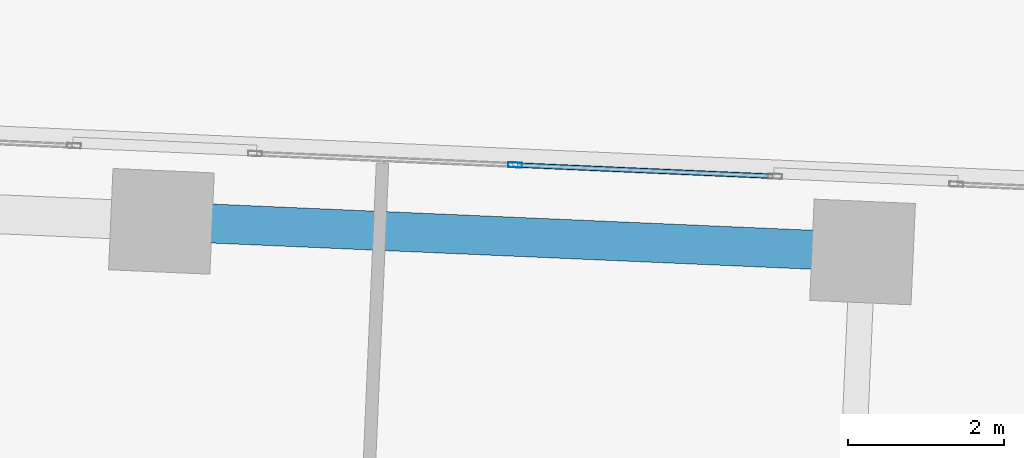
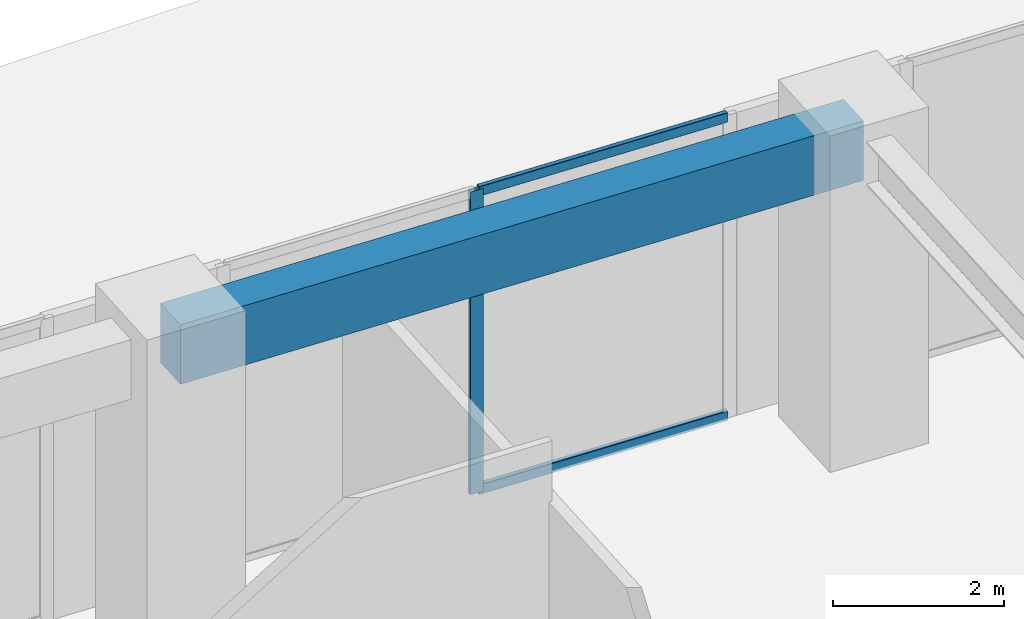
# One storey, part 20 of 33: 3 members, 1 beam, 1 element without a shape of its own.
"""IFC4 building model written with IfcOpenShell, lengths in metres."""

from ifc_helpers import new_model, si_unit, direction, frame, origin, origin_2d, place, context, subcontext, project, spatial, rectangle, hollow_rectangle, extrude, source, transform, mapped, material, material_profile, profile_set, type_object, element, aggregate, save


model = new_model("IFC4")

# Units and contexts
model_context = context("Model", 3, precision=1e-05, world=origin(), true_north=direction((0.0, 1.0)))
body_context = subcontext(model_context, "Body", "Model", "MODEL_VIEW")
ifc_project = project(units=[si_unit("LENGTHUNIT", "METRE"), si_unit("AREAUNIT", "SQUARE_METRE"), si_unit("VOLUMEUNIT", "CUBIC_METRE"), si_unit("PLANEANGLEUNIT", "RADIAN"), si_unit("MASSUNIT", "GRAM", prefix="KILO")], contexts=[model_context])

# Site, building, storey
site_placement = place(None, origin())
site = spatial("IfcSite", under=ifc_project, at=site_placement, CompositionType="ELEMENT")
building_placement = place(site_placement, origin())
building = spatial("IfcBuilding", under=site, at=building_placement, Name="Torre Montelarca", CompositionType="ELEMENT")
storey_placement = place(building_placement, frame((0.0, 0.0, 32.800048828125)))
storey = spatial("IfcBuildingStorey", under=building, at=storey_placement, Name="L07", CompositionType="ELEMENT", Elevation=32.800048828125)

# Beam
ifc_material_1 = material(Name="Concrete C55/67", Category="concrete")
ifc_material_profile_1 = material_profile(ifc_material_1, rectangle(XDim=0.5, YDim=0.85009765625, at=origin_2d()), Name="RCB500X850", Category="concrete")
ifc_profile_set_1 = profile_set([ifc_material_profile_1], Name="Concrete C55/67")
beam_type = type_object("IfcBeamType", Name="BM-SP-RC850-EXT", PredefinedType="SPANDREL", material=ifc_profile_set_1)
shared_shape_1 = source(origin(), body_context, "Body", "SweptSolid", [
    extrude(rectangle(XDim=0.5, YDim=0.85009765625, at=origin_2d()), origin(), (0.0, 0.0, 1.0), 9.0),
])
beam_placement = place(storey_placement, frame((27.655517578125, 46.895751953125, 4.135009765625), z_axis=(0.999048208421, -0.043619688809, 0.0), x_axis=(0.043619688809, 0.999048208421, 0.0)))
element("IfcBeam", 1, at=beam_placement, inside=storey, type_object=beam_type, Name="L07 Grid Girder X 27.0-36.0 at Y=47.1", PredefinedType="SPANDREL", context=body_context, shape_type="MappedRepresentation", body=[
    mapped(shared_shape_1, transform((0.0, 0.0, 0.0), scale=1.0)),
])

# Curtain wall, members
ifc_material_2 = material(Name="Insulated low-E laminated glass", Category="glass")
curtain_wall_type = type_object("IfcCurtainWallType", Name="CW-SYS-Z1", PredefinedType="USERDEFINED", material=ifc_material_2)
curtain_wall_placement = place(storey_placement, origin())
curtain_wall = element("IfcCurtainWall", 2, at=curtain_wall_placement, inside=storey, type_object=curtain_wall_type, Name="L07 Curtain Wall Run CW-T3-L07-E08-B2", ObjectType="UNITISED GLAZING", PredefinedType="USERDEFINED")
ifc_material_3 = material(Name="Anodised aluminium AA 6063-T6", Category="aluminium")
ifc_material_profile_2 = material_profile(ifc_material_3, hollow_rectangle(XDim=0.06494140625, YDim=0.179931640625, WallThickness=0.00390625, InnerFilletRadius=0.00390625, OuterFilletRadius=0.008056640625, at=origin_2d()), Name="ALU65X180X4", Category="aluminium")
ifc_profile_set_2 = profile_set([ifc_material_profile_2], Name="Anodised aluminium AA 6063-T6")
member_type_1 = type_object("IfcMemberType", Name="CWM-ALU180", PredefinedType="MULLION", material=ifc_profile_set_2)
shared_shape_2 = source(origin(), body_context, "Body", "SweptSolid", [
    extrude(hollow_rectangle(XDim=0.06494140625, YDim=0.179931640625, WallThickness=0.00390625, InnerFilletRadius=0.00390625, OuterFilletRadius=0.008056640625, at=origin_2d()), origin(), (0.0, 0.0, 1.0), 4.320068359375),
])
member_1_placement = place(storey_placement, frame((32.19140625, 47.61865234375, 0.0), z_axis=(0.0, 0.0, 1.0), x_axis=(-0.043620726206, -0.999048163126, 0.0)))
member_1 = element("IfcMember", 3, at=member_1_placement, type_object=member_type_1, Name="CW mullion 2", PredefinedType="MULLION", context=body_context, shape_type="MappedRepresentation", body=[
    mapped(shared_shape_2, transform((0.0, 0.0, 0.0), scale=1.0)),
])
ifc_material_profile_3 = material_profile(ifc_material_3, hollow_rectangle(XDim=0.06494140625, YDim=0.139892578125, WallThickness=0.00390625, InnerFilletRadius=0.00390625, OuterFilletRadius=0.008056640625, at=origin_2d()), Name="ALU65X140X4", Category="aluminium")
ifc_profile_set_3 = profile_set([ifc_material_profile_3], Name="Anodised aluminium AA 6063-T6")
member_type_2 = type_object("IfcMemberType", Name="CWT-ALU140", PredefinedType="USERDEFINED", material=ifc_profile_set_3)
shared_shape_3 = source(origin(), body_context, "Body", "SweptSolid", [
    extrude(hollow_rectangle(XDim=0.06494140625, YDim=0.139892578125, WallThickness=0.00390625, InnerFilletRadius=0.00390625, OuterFilletRadius=0.008056640625, at=origin_2d()), origin(), (0.0, 0.0, 1.0), 3.2724609375),
])
member_2_placement = place(storey_placement, frame((35.4931640625, 47.474365234375, 0.032470703125), z_axis=(-0.999047127857, 0.043644430573, 0.0), x_axis=(-0.043644430573, -0.999047127857, 0.0)))
member_2 = element("IfcMember", 4, at=member_2_placement, type_object=member_type_2, Name="CW transom 1.1", ObjectType="TRANSOM", PredefinedType="USERDEFINED", context=body_context, shape_type="MappedRepresentation", body=[
    mapped(shared_shape_3, transform((0.0, 0.0, 0.0), scale=1.0)),
])
member_3_placement = place(storey_placement, frame((35.4931640625, 47.474365234375, 4.287353515625), z_axis=(-0.999047127857, 0.043644430573, 0.0), x_axis=(-0.043644430573, -0.999047127857, 0.0)))
member_3 = element("IfcMember", 5, at=member_3_placement, type_object=member_type_2, Name="CW transom 1.2", ObjectType="TRANSOM", PredefinedType="USERDEFINED", context=body_context, shape_type="MappedRepresentation", body=[
    mapped(shared_shape_3, transform((0.0, 0.0, 0.0), scale=1.0)),
])
aggregate(curtain_wall, [member_1, member_2, member_3])

save(model, "model.ifc")
